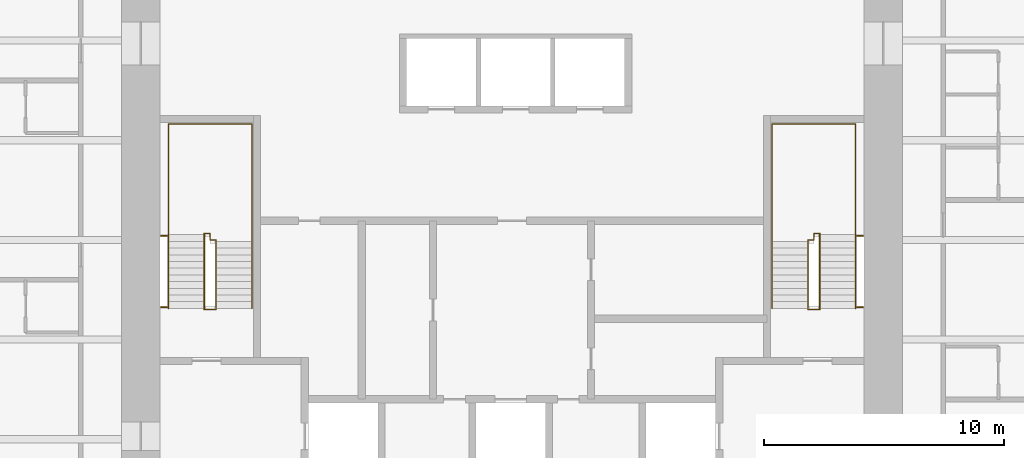
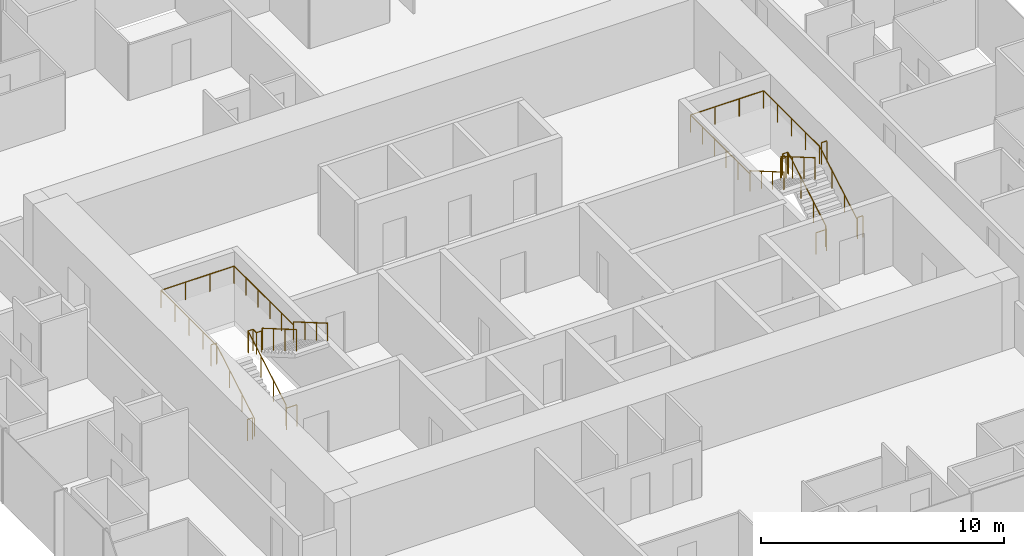
# One storey, part 13 of 13: 8 railings.
"""IFC4 building model written with IfcOpenShell, lengths in metres."""

from ifc_helpers import new_model, si_unit, direction, frame, origin, origin_2d, place, context, subcontext, project, spatial, circle, extrude, material, type_object, element, save


model = new_model("IFC4")

# Units and contexts
model_context = context("Model", 3, precision=1e-05, world=origin(), true_north=direction((0.0, 1.0)))
body_context = subcontext(model_context, "Body", "Model", "MODEL_VIEW")
ifc_project = project(units=[si_unit("LENGTHUNIT", "METRE"), si_unit("AREAUNIT", "SQUARE_METRE"), si_unit("VOLUMEUNIT", "CUBIC_METRE"), si_unit("PLANEANGLEUNIT", "RADIAN"), si_unit("MASSUNIT", "GRAM", prefix="KILO")], contexts=[model_context])

# Site, building, storey
site_placement = place(None, origin())
site = spatial("IfcSite", under=ifc_project, at=site_placement, CompositionType="ELEMENT")
building_placement = place(site_placement, origin())
building = spatial("IfcBuilding", under=site, at=building_placement, Name="Khuree Lantern Residences", CompositionType="ELEMENT")
storey_placement = place(building_placement, frame((0.0, 0.0, 267.0)))
storey = spatial("IfcBuildingStorey", under=building, at=storey_placement, Name="L67", CompositionType="ELEMENT", Elevation=267.0)

# Railings
ifc_material = material(Name="Steel S355", Category="steel")
railing_type_1 = type_object("IfcRailingType", Name="STAIR GUARD G1 1100", PredefinedType="GUARDRAIL", material=ifc_material)
railing_1_placement = place(storey_placement, frame((-12.35009765625, -2.909912109375, 0.0)))
element("IfcRailing", 1, at=railing_1_placement, inside=storey, type_object=railing_type_1, Name="Stair ST1 guard", PredefinedType="GUARDRAIL", context=body_context, shape_type="SweptSolid", body=[
    extrude(circle(Radius=0.02392578125, at=origin_2d()), frame((0.0, 0.0, 1.076171875), z_axis=(-1.0, 0.0, 0.0), x_axis=(0.0, -1.0, 0.0)), (0.0, 0.0, 1.0), 0.5),
    extrude(circle(Radius=0.02392578125, at=origin_2d()), frame((-0.5, 0.0, 1.076171875), z_axis=(0.0, 0.292073035251, 0.95639601739), x_axis=(-1.0, 0.0, 0.0)), (0.0, 0.0, 1.0), 0.17041015625),
    extrude(circle(Radius=0.02392578125, at=origin_2d()), frame((-0.5, 0.0498046875, 1.2392578125), z_axis=(0.0, 0.864176135923, 0.503189433615), x_axis=(-1.0, 0.0, 0.0)), (0.0, 0.0, 1.0), 3.564208984375),
    extrude(circle(Radius=0.02392578125, at=origin_2d()), frame((-0.5, 3.1298828125, 3.03271484375), z_axis=(0.0, 1.0, 0.0), x_axis=(-1.0, 0.0, 0.0)), (0.0, 0.0, 1.0), 0.050048828125),
    extrude(circle(Radius=0.02392578125, at=origin_2d()), frame((-0.5, 3.179931640625, 3.03271484375), z_axis=(1.0, 0.0, 0.0), x_axis=(0.0, 1.0, 0.0)), (0.0, 0.0, 1.0), 0.25),
    extrude(circle(Radius=0.02392578125, at=origin_2d()), frame((-0.25, 3.179931640625, 3.03271484375), z_axis=(0.0, -1.0, 0.0), x_axis=(1.0, 0.0, 0.0)), (0.0, 0.0, 1.0), 0.280029296875),
    extrude(circle(Radius=0.02392578125, at=origin_2d()), frame((-0.25, 2.89990234375, 3.03271484375), z_axis=(1.0, 0.0, 0.0), x_axis=(0.0, 1.0, 0.0)), (0.0, 0.0, 1.0), 0.25),
    extrude(circle(Radius=0.02392578125, at=origin_2d()), frame((0.0, 2.89990234375, 3.03271484375), z_axis=(0.0, -0.293381807449, 0.955995353053), x_axis=(1.0, 0.0, 0.0)), (0.0, 0.0, 1.0), 0.170654296875),
    extrude(circle(Radius=0.02392578125, at=origin_2d()), frame((0.0, 2.849853515625, 3.19580078125), z_axis=(0.0, -0.864180358799, 0.503182181189), x_axis=(1.0, 0.0, 0.0)), (0.0, 0.0, 1.0), 3.240234375),
    extrude(circle(Radius=0.02099609375, at=origin_2d()), origin(), (0.0, 0.0, 1.0), 1.052001953125),
    extrude(circle(Radius=0.02099609375, at=origin_2d()), frame((-0.5, 0.0, 0.0)), (0.0, 0.0, 1.0), 1.052001953125),
    extrude(circle(Radius=0.02099609375, at=origin_2d()), frame((-0.5, 0.0498046875, 0.1630859375)), (0.0, 0.0, 1.0), 1.052001953125),
    extrude(circle(Radius=0.02099609375, at=origin_2d()), frame((-0.5, 1.076416015625, 0.760986328125)), (0.0, 0.0, 1.0), 1.052001953125),
    extrude(circle(Radius=0.02099609375, at=origin_2d()), frame((-0.5, 2.103271484375, 1.358642578125)), (0.0, 0.0, 1.0), 1.052001953125),
    extrude(circle(Radius=0.02099609375, at=origin_2d()), frame((-0.5, 3.1298828125, 1.95654296875)), (0.0, 0.0, 1.0), 1.052001953125),
    extrude(circle(Radius=0.02099609375, at=origin_2d()), frame((-0.5, 3.179931640625, 1.95654296875)), (0.0, 0.0, 1.0), 1.052001953125),
    extrude(circle(Radius=0.02099609375, at=origin_2d()), frame((-0.25, 3.179931640625, 1.95654296875)), (0.0, 0.0, 1.0), 1.052001953125),
    extrude(circle(Radius=0.02099609375, at=origin_2d()), frame((-0.25, 2.89990234375, 1.95654296875)), (0.0, 0.0, 1.0), 1.052001953125),
    extrude(circle(Radius=0.02099609375, at=origin_2d()), frame((0.0, 2.89990234375, 1.95654296875)), (0.0, 0.0, 1.0), 1.052001953125),
    extrude(circle(Radius=0.02099609375, at=origin_2d()), frame((0.0, 2.849853515625, 2.11962890625)), (0.0, 0.0, 1.0), 1.052001953125),
    extrude(circle(Radius=0.02099609375, at=origin_2d()), frame((0.0, 1.91650390625, 2.6630859375)), (0.0, 0.0, 1.0), 1.052001953125),
    extrude(circle(Radius=0.02099609375, at=origin_2d()), frame((0.0, 0.983154296875, 3.20654296875)), (0.0, 0.0, 1.0), 1.052001953125),
    extrude(circle(Radius=0.02099609375, at=origin_2d()), frame((0.0, 0.0498046875, 3.75)), (0.0, 0.0, 1.0), 1.052001953125),
])
for number, where, name in (
    (2, (-14.64990234375, -2.81005859375, 0.0), "Stair ST1 landing slot guard"),
    (3, (-14.64990234375, 0.169921875, 1.95654296875), "Stair ST1 landing slot guard"),
):
    element("IfcRailing", number, at=place(storey_placement, frame(where)), inside=storey, type_object=railing_type_1, Name=name, PredefinedType="GUARDRAIL", context=body_context, shape_type="SweptSolid", body=[
        extrude(circle(Radius=0.02392578125, at=origin_2d()), frame((0.0, 0.0, 1.076171875), z_axis=(1.0, 0.0, 0.0), x_axis=(0.0, 1.0, 0.0)), (0.0, 0.0, 1.0), 0.25),
        extrude(circle(Radius=0.02099609375, at=origin_2d()), origin(), (0.0, 0.0, 1.0), 1.052001953125),
        extrude(circle(Radius=0.02099609375, at=origin_2d()), frame((0.25, 0.0, 0.0)), (0.0, 0.0, 1.0), 1.052001953125),
    ])
railing_2_placement = place(storey_placement, frame((12.35009765625, -2.909912109375, 0.0)))
element("IfcRailing", 4, at=railing_2_placement, inside=storey, type_object=railing_type_1, Name="Stair ST2 guard", PredefinedType="GUARDRAIL", context=body_context, shape_type="SweptSolid", body=[
    extrude(circle(Radius=0.02392578125, at=origin_2d()), frame((0.0, 0.0, 1.076171875), z_axis=(1.0, 0.0, 0.0), x_axis=(0.0, 1.0, 0.0)), (0.0, 0.0, 1.0), 0.5),
    extrude(circle(Radius=0.02392578125, at=origin_2d()), frame((0.5, 0.0, 1.076171875), z_axis=(0.0, 0.292073035251, 0.95639601739), x_axis=(-1.0, 0.0, 0.0)), (0.0, 0.0, 1.0), 0.17041015625),
    extrude(circle(Radius=0.02392578125, at=origin_2d()), frame((0.5, 0.0498046875, 1.2392578125), z_axis=(0.0, 0.864176135923, 0.503189433615), x_axis=(-1.0, 0.0, 0.0)), (0.0, 0.0, 1.0), 3.564208984375),
    extrude(circle(Radius=0.02392578125, at=origin_2d()), frame((0.5, 3.1298828125, 3.03271484375), z_axis=(0.0, 1.0, 0.0), x_axis=(-1.0, 0.0, 0.0)), (0.0, 0.0, 1.0), 0.050048828125),
    extrude(circle(Radius=0.02392578125, at=origin_2d()), frame((0.5, 3.179931640625, 3.03271484375), z_axis=(-1.0, 0.0, 0.0), x_axis=(0.0, -1.0, 0.0)), (0.0, 0.0, 1.0), 0.25),
    extrude(circle(Radius=0.02392578125, at=origin_2d()), frame((0.25, 3.179931640625, 3.03271484375), z_axis=(0.0, -1.0, 0.0), x_axis=(1.0, 0.0, 0.0)), (0.0, 0.0, 1.0), 0.280029296875),
    extrude(circle(Radius=0.02392578125, at=origin_2d()), frame((0.25, 2.89990234375, 3.03271484375), z_axis=(-1.0, 0.0, 0.0), x_axis=(0.0, -1.0, 0.0)), (0.0, 0.0, 1.0), 0.25),
    extrude(circle(Radius=0.02392578125, at=origin_2d()), frame((0.0, 2.89990234375, 3.03271484375), z_axis=(0.0, -0.293381807449, 0.955995353053), x_axis=(1.0, 0.0, 0.0)), (0.0, 0.0, 1.0), 0.170654296875),
    extrude(circle(Radius=0.02392578125, at=origin_2d()), frame((0.0, 2.849853515625, 3.19580078125), z_axis=(0.0, -0.864180358799, 0.503182181189), x_axis=(1.0, 0.0, 0.0)), (0.0, 0.0, 1.0), 3.240234375),
    extrude(circle(Radius=0.02099609375, at=origin_2d()), origin(), (0.0, 0.0, 1.0), 1.052001953125),
    extrude(circle(Radius=0.02099609375, at=origin_2d()), frame((0.5, 0.0, 0.0)), (0.0, 0.0, 1.0), 1.052001953125),
    extrude(circle(Radius=0.02099609375, at=origin_2d()), frame((0.5, 0.0498046875, 0.1630859375)), (0.0, 0.0, 1.0), 1.052001953125),
    extrude(circle(Radius=0.02099609375, at=origin_2d()), frame((0.5, 1.076416015625, 0.760986328125)), (0.0, 0.0, 1.0), 1.052001953125),
    extrude(circle(Radius=0.02099609375, at=origin_2d()), frame((0.5, 2.103271484375, 1.358642578125)), (0.0, 0.0, 1.0), 1.052001953125),
    extrude(circle(Radius=0.02099609375, at=origin_2d()), frame((0.5, 3.1298828125, 1.95654296875)), (0.0, 0.0, 1.0), 1.052001953125),
    extrude(circle(Radius=0.02099609375, at=origin_2d()), frame((0.5, 3.179931640625, 1.95654296875)), (0.0, 0.0, 1.0), 1.052001953125),
    extrude(circle(Radius=0.02099609375, at=origin_2d()), frame((0.25, 3.179931640625, 1.95654296875)), (0.0, 0.0, 1.0), 1.052001953125),
    extrude(circle(Radius=0.02099609375, at=origin_2d()), frame((0.25, 2.89990234375, 1.95654296875)), (0.0, 0.0, 1.0), 1.052001953125),
    extrude(circle(Radius=0.02099609375, at=origin_2d()), frame((0.0, 2.89990234375, 1.95654296875)), (0.0, 0.0, 1.0), 1.052001953125),
    extrude(circle(Radius=0.02099609375, at=origin_2d()), frame((0.0, 2.849853515625, 2.11962890625)), (0.0, 0.0, 1.0), 1.052001953125),
    extrude(circle(Radius=0.02099609375, at=origin_2d()), frame((0.0, 1.91650390625, 2.6630859375)), (0.0, 0.0, 1.0), 1.052001953125),
    extrude(circle(Radius=0.02099609375, at=origin_2d()), frame((0.0, 0.983154296875, 3.20654296875)), (0.0, 0.0, 1.0), 1.052001953125),
    extrude(circle(Radius=0.02099609375, at=origin_2d()), frame((0.0, 0.0498046875, 3.75)), (0.0, 0.0, 1.0), 1.052001953125),
])
for number, where, name in (
    (5, (14.64990234375, -2.81005859375, 0.0), "Stair ST2 landing slot guard"),
    (6, (14.64990234375, 0.169921875, 1.95654296875), "Stair ST2 landing slot guard"),
):
    element("IfcRailing", number, at=place(storey_placement, frame(where)), inside=storey, type_object=railing_type_1, Name=name, PredefinedType="GUARDRAIL", context=body_context, shape_type="SweptSolid", body=[
        extrude(circle(Radius=0.02392578125, at=origin_2d()), frame((0.0, 0.0, 1.076171875), z_axis=(-1.0, 0.0, 0.0), x_axis=(0.0, -1.0, 0.0)), (0.0, 0.0, 1.0), 0.25),
        extrude(circle(Radius=0.02099609375, at=origin_2d()), origin(), (0.0, 0.0, 1.0), 1.052001953125),
        extrude(circle(Radius=0.02099609375, at=origin_2d()), frame((-0.25, 0.0, 0.0)), (0.0, 0.0, 1.0), 1.052001953125),
    ])
railing_type_2 = type_object("IfcRailingType", Name="STAIR HANDRAIL H1 900", PredefinedType="HANDRAIL", material=ifc_material)
railing_3_placement = place(storey_placement, frame((-14.340087890625, -2.860107421875, 0.1630859375)))
element("IfcRailing", 7, at=railing_3_placement, inside=storey, type_object=railing_type_2, Name="Stair ST1 handrail", PredefinedType="HANDRAIL", context=body_context, shape_type="SweptSolid", body=[
    extrude(circle(Radius=0.02392578125, at=origin_2d()), frame((0.0, 0.0, 0.8759765625), z_axis=(0.0, 0.864176135923, 0.503189433615), x_axis=(-1.0, 0.0, 0.0)), (0.0, 0.0, 1.0), 3.564208984375),
    extrude(circle(Radius=0.02392578125, at=origin_2d()), frame((0.0, 3.080078125, 2.66943359375), z_axis=(0.0, 1.0, 0.0), x_axis=(-1.0, 0.0, 0.0)), (0.0, 0.0, 1.0), 4.6201171875),
    extrude(circle(Radius=0.02392578125, at=origin_2d()), frame((0.0, 7.7001953125, 2.66943359375), z_axis=(1.0, 0.0, 0.0), x_axis=(0.0, 1.0, 0.0)), (0.0, 0.0, 1.0), 3.47998046875),
    extrude(circle(Radius=0.02392578125, at=origin_2d()), frame((3.47998046875, 7.7001953125, 2.66943359375), z_axis=(0.0, -1.0, 0.0), x_axis=(1.0, 0.0, 0.0)), (0.0, 0.0, 1.0), 4.900146484375),
    extrude(circle(Radius=0.02392578125, at=origin_2d()), frame((3.47998046875, 2.800048828125, 2.66943359375), z_axis=(0.0, 0.0, 1.0), x_axis=(1.0, 0.0, 0.0)), (0.0, 0.0, 1.0), 0.1630859375),
    extrude(circle(Radius=0.02392578125, at=origin_2d()), frame((3.47998046875, 2.800048828125, 2.83251953125), z_axis=(0.0, -0.864180358799, 0.503182181189), x_axis=(1.0, 0.0, 0.0)), (0.0, 0.0, 1.0), 3.240234375),
    extrude(circle(Radius=0.02099609375, at=origin_2d()), origin(), (0.0, 0.0, 1.0), 0.851806640625),
    extrude(circle(Radius=0.02099609375, at=origin_2d()), frame((0.0, 1.026611328125, 0.597900390625)), (0.0, 0.0, 1.0), 0.851806640625),
    extrude(circle(Radius=0.02099609375, at=origin_2d()), frame((0.0, 2.053466796875, 1.195556640625)), (0.0, 0.0, 1.0), 0.851806640625),
    extrude(circle(Radius=0.02099609375, at=origin_2d()), frame((0.0, 3.080078125, 1.79345703125)), (0.0, 0.0, 1.0), 0.851806640625),
    extrude(circle(Radius=0.02099609375, at=origin_2d()), frame((0.0, 4.235107421875, 1.79345703125)), (0.0, 0.0, 1.0), 0.851806640625),
    extrude(circle(Radius=0.02099609375, at=origin_2d()), frame((0.0, 5.39013671875, 1.79345703125)), (0.0, 0.0, 1.0), 0.851806640625),
    extrude(circle(Radius=0.02099609375, at=origin_2d()), frame((0.0, 6.545166015625, 1.79345703125)), (0.0, 0.0, 1.0), 0.851806640625),
    extrude(circle(Radius=0.02099609375, at=origin_2d()), frame((0.0, 7.7001953125, 1.79345703125)), (0.0, 0.0, 1.0), 0.851806640625),
    extrude(circle(Radius=0.02099609375, at=origin_2d()), frame((1.159912109375, 7.7001953125, 1.79345703125)), (0.0, 0.0, 1.0), 0.851806640625),
    extrude(circle(Radius=0.02099609375, at=origin_2d()), frame((2.320068359375, 7.7001953125, 1.79345703125)), (0.0, 0.0, 1.0), 0.851806640625),
    extrude(circle(Radius=0.02099609375, at=origin_2d()), frame((3.47998046875, 7.7001953125, 1.79345703125)), (0.0, 0.0, 1.0), 0.851806640625),
    extrude(circle(Radius=0.02099609375, at=origin_2d()), frame((3.47998046875, 6.72021484375, 1.79345703125)), (0.0, 0.0, 1.0), 0.851806640625),
    extrude(circle(Radius=0.02099609375, at=origin_2d()), frame((3.47998046875, 5.740234375, 1.79345703125)), (0.0, 0.0, 1.0), 0.851806640625),
    extrude(circle(Radius=0.02099609375, at=origin_2d()), frame((3.47998046875, 4.760009765625, 1.79345703125)), (0.0, 0.0, 1.0), 0.851806640625),
    extrude(circle(Radius=0.02099609375, at=origin_2d()), frame((3.47998046875, 3.780029296875, 1.79345703125)), (0.0, 0.0, 1.0), 0.851806640625),
    extrude(circle(Radius=0.02099609375, at=origin_2d()), frame((3.47998046875, 2.800048828125, 1.79345703125)), (0.0, 0.0, 1.0), 0.851806640625),
    extrude(circle(Radius=0.02099609375, at=origin_2d()), frame((3.47998046875, 2.800048828125, 1.95654296875)), (0.0, 0.0, 1.0), 0.851806640625),
    extrude(circle(Radius=0.02099609375, at=origin_2d()), frame((3.47998046875, 1.86669921875, 2.5)), (0.0, 0.0, 1.0), 0.851806640625),
    extrude(circle(Radius=0.02099609375, at=origin_2d()), frame((3.47998046875, 0.933349609375, 3.04345703125)), (0.0, 0.0, 1.0), 0.851806640625),
    extrude(circle(Radius=0.02099609375, at=origin_2d()), frame((3.47998046875, 0.0, 3.5869140625)), (0.0, 0.0, 1.0), 0.851806640625),
])
railing_4_placement = place(storey_placement, frame((14.340087890625, -2.860107421875, 0.1630859375)))
element("IfcRailing", 8, at=railing_4_placement, inside=storey, type_object=railing_type_2, Name="Stair ST2 handrail", PredefinedType="HANDRAIL", context=body_context, shape_type="SweptSolid", body=[
    extrude(circle(Radius=0.02392578125, at=origin_2d()), frame((0.0, 0.0, 0.8759765625), z_axis=(0.0, 0.864176135923, 0.503189433615), x_axis=(-1.0, 0.0, 0.0)), (0.0, 0.0, 1.0), 3.564208984375),
    extrude(circle(Radius=0.02392578125, at=origin_2d()), frame((0.0, 3.080078125, 2.66943359375), z_axis=(0.0, 1.0, 0.0), x_axis=(-1.0, 0.0, 0.0)), (0.0, 0.0, 1.0), 4.6201171875),
    extrude(circle(Radius=0.02392578125, at=origin_2d()), frame((0.0, 7.7001953125, 2.66943359375), z_axis=(-1.0, 0.0, 0.0), x_axis=(0.0, -1.0, 0.0)), (0.0, 0.0, 1.0), 3.47998046875),
    extrude(circle(Radius=0.02392578125, at=origin_2d()), frame((-3.47998046875, 7.7001953125, 2.66943359375), z_axis=(0.0, -1.0, 0.0), x_axis=(1.0, 0.0, 0.0)), (0.0, 0.0, 1.0), 4.900146484375),
    extrude(circle(Radius=0.02392578125, at=origin_2d()), frame((-3.47998046875, 2.800048828125, 2.66943359375), z_axis=(0.0, 0.0, 1.0), x_axis=(1.0, 0.0, 0.0)), (0.0, 0.0, 1.0), 0.1630859375),
    extrude(circle(Radius=0.02392578125, at=origin_2d()), frame((-3.47998046875, 2.800048828125, 2.83251953125), z_axis=(0.0, -0.864180358799, 0.503182181189), x_axis=(1.0, 0.0, 0.0)), (0.0, 0.0, 1.0), 3.240234375),
    extrude(circle(Radius=0.02099609375, at=origin_2d()), origin(), (0.0, 0.0, 1.0), 0.851806640625),
    extrude(circle(Radius=0.02099609375, at=origin_2d()), frame((0.0, 1.026611328125, 0.597900390625)), (0.0, 0.0, 1.0), 0.851806640625),
    extrude(circle(Radius=0.02099609375, at=origin_2d()), frame((0.0, 2.053466796875, 1.195556640625)), (0.0, 0.0, 1.0), 0.851806640625),
    extrude(circle(Radius=0.02099609375, at=origin_2d()), frame((0.0, 3.080078125, 1.79345703125)), (0.0, 0.0, 1.0), 0.851806640625),
    extrude(circle(Radius=0.02099609375, at=origin_2d()), frame((0.0, 4.235107421875, 1.79345703125)), (0.0, 0.0, 1.0), 0.851806640625),
    extrude(circle(Radius=0.02099609375, at=origin_2d()), frame((0.0, 5.39013671875, 1.79345703125)), (0.0, 0.0, 1.0), 0.851806640625),
    extrude(circle(Radius=0.02099609375, at=origin_2d()), frame((0.0, 6.545166015625, 1.79345703125)), (0.0, 0.0, 1.0), 0.851806640625),
    extrude(circle(Radius=0.02099609375, at=origin_2d()), frame((0.0, 7.7001953125, 1.79345703125)), (0.0, 0.0, 1.0), 0.851806640625),
    extrude(circle(Radius=0.02099609375, at=origin_2d()), frame((-1.159912109375, 7.7001953125, 1.79345703125)), (0.0, 0.0, 1.0), 0.851806640625),
    extrude(circle(Radius=0.02099609375, at=origin_2d()), frame((-2.320068359375, 7.7001953125, 1.79345703125)), (0.0, 0.0, 1.0), 0.851806640625),
    extrude(circle(Radius=0.02099609375, at=origin_2d()), frame((-3.47998046875, 7.7001953125, 1.79345703125)), (0.0, 0.0, 1.0), 0.851806640625),
    extrude(circle(Radius=0.02099609375, at=origin_2d()), frame((-3.47998046875, 6.72021484375, 1.79345703125)), (0.0, 0.0, 1.0), 0.851806640625),
    extrude(circle(Radius=0.02099609375, at=origin_2d()), frame((-3.47998046875, 5.740234375, 1.79345703125)), (0.0, 0.0, 1.0), 0.851806640625),
    extrude(circle(Radius=0.02099609375, at=origin_2d()), frame((-3.47998046875, 4.760009765625, 1.79345703125)), (0.0, 0.0, 1.0), 0.851806640625),
    extrude(circle(Radius=0.02099609375, at=origin_2d()), frame((-3.47998046875, 3.780029296875, 1.79345703125)), (0.0, 0.0, 1.0), 0.851806640625),
    extrude(circle(Radius=0.02099609375, at=origin_2d()), frame((-3.47998046875, 2.800048828125, 1.79345703125)), (0.0, 0.0, 1.0), 0.851806640625),
    extrude(circle(Radius=0.02099609375, at=origin_2d()), frame((-3.47998046875, 2.800048828125, 1.95654296875)), (0.0, 0.0, 1.0), 0.851806640625),
    extrude(circle(Radius=0.02099609375, at=origin_2d()), frame((-3.47998046875, 1.86669921875, 2.5)), (0.0, 0.0, 1.0), 0.851806640625),
    extrude(circle(Radius=0.02099609375, at=origin_2d()), frame((-3.47998046875, 0.933349609375, 3.04345703125)), (0.0, 0.0, 1.0), 0.851806640625),
    extrude(circle(Radius=0.02099609375, at=origin_2d()), frame((-3.47998046875, 0.0, 3.5869140625)), (0.0, 0.0, 1.0), 0.851806640625),
])

save(model, "model.ifc")
